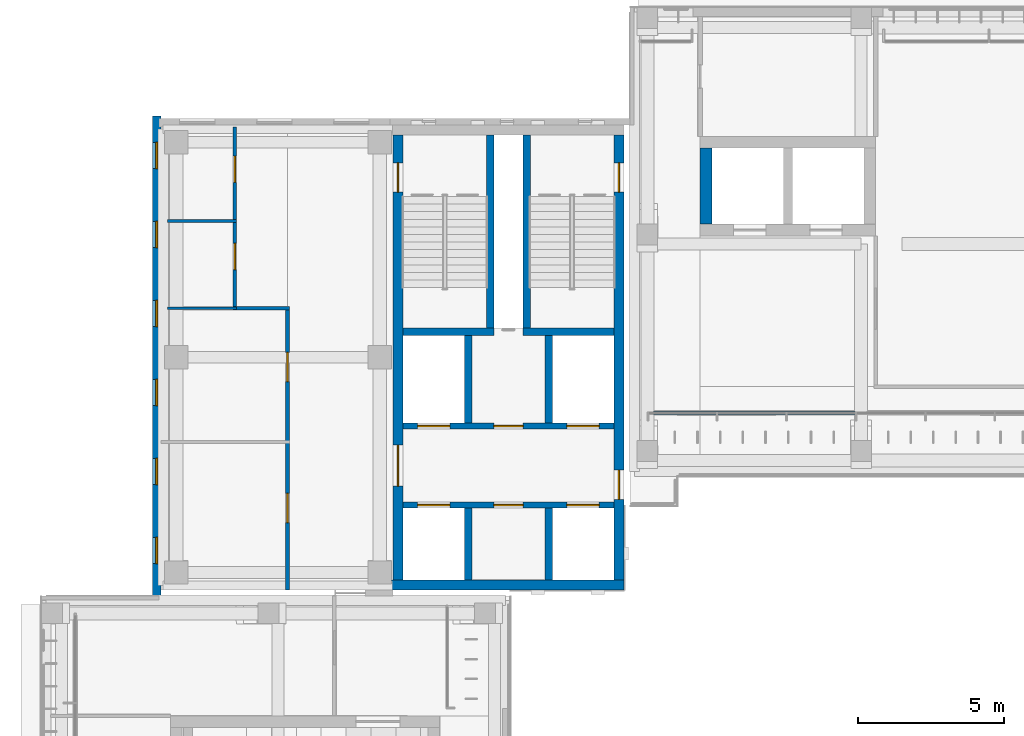
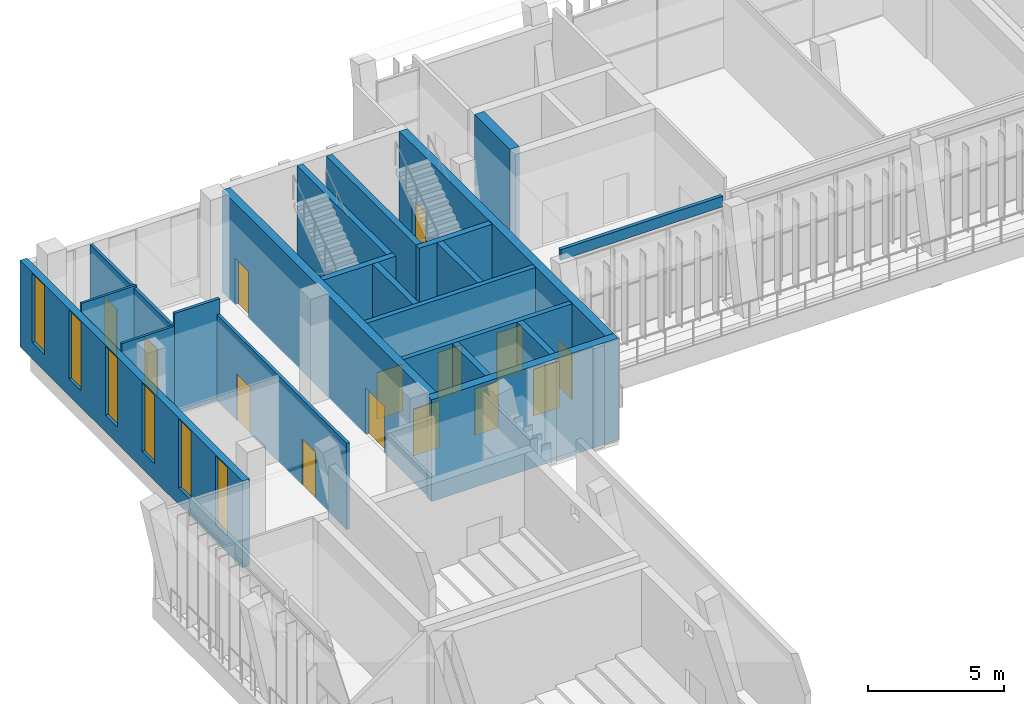
# One storey, part 47 of 74: 21 walls, 14 doors, 6 windows, 20 openings.
"""IFC4 building model written with IfcOpenShell, lengths in metres."""

import ifcopenshell
import ifcopenshell.guid

model = None  # the IFC model being written
_history = None  # IfcOwnerHistory: only IFC2X3 demands one
_inside = {}  # id of a spatial element -> (the spatial element, [elements in it])
_under = {}  # id of a project, library or spatial element -> (it, [spatial elements below it])
_declared = {}  # id of a project -> (the project, [libraries it declares])
_typed = {}  # id of a type object -> (the type object, [elements of that type])
_made_of = {}  # id of a material, layer set ... -> (it, [elements and type objects made of it])


def new_model(schema):
    """Start an empty IFC model of exactly this schema.

    Asked for "IFC4X3", IfcOpenShell would pick the latest addendum, in which some entities
    have other attributes; the version numbers below select the first issue.
    IFC2X3 requires an IfcOwnerHistory on every rooted entity: one is made here for all.
    """
    global model, _history
    if schema == "IFC4X3":
        model = ifcopenshell.file(schema_version=(4, 3, 0, 0))
    else:
        model = ifcopenshell.file(schema=schema)
    _inside.clear()
    _under.clear()
    _declared.clear()
    _typed.clear()
    _made_of.clear()
    _history = None
    if model.schema == "IFC2X3":
        org = make("IfcOrganization", Name="unknown")
        user = make(
            "IfcPersonAndOrganization",
            ThePerson=make("IfcPerson", FamilyName="unknown"),
            TheOrganization=org,
        )
        app = make(
            "IfcApplication",
            ApplicationDeveloper=org,
            Version="unknown",
            ApplicationFullName="unknown",
            ApplicationIdentifier="unknown",
        )
        _history = make(
            "IfcOwnerHistory",
            OwningUser=user,
            OwningApplication=app,
            ChangeAction="ADDED",
            CreationDate=0,
        )
    return model


def make(cls, **values):
    """One entity of the class cls with the attributes given. An attribute that is None is left unset."""
    return model.create_entity(
        cls, **{name: value for name, value in values.items() if value is not None}
    )


def rooted(cls, **values):
    """An entity with a GlobalId (a new one), such as an element, a storey or a relation."""
    return make(cls, GlobalId=ifcopenshell.guid.new(), OwnerHistory=_history, **values)


def si_unit(unit_type, name, prefix=None):
    """IfcSIUnit, for example si_unit("LENGTHUNIT", "METRE", prefix="MILLI")."""
    return make("IfcSIUnit", UnitType=unit_type, Prefix=prefix, Name=name)


def assignment(units):
    """IfcUnitAssignment: the units of a project."""
    return None if units is None else make("IfcUnitAssignment", Units=units)


def point(xyz):
    """IfcCartesianPoint."""
    return None if xyz is None else make("IfcCartesianPoint", Coordinates=xyz)


def direction(xyz):
    """IfcDirection."""
    return None if xyz is None else make("IfcDirection", DirectionRatios=xyz)


def frame(location, z_axis=None, x_axis=None):
    """IfcAxis2Placement3D, a coordinate frame: its origin and axes. An axis left out is left unset."""
    return make(
        "IfcAxis2Placement3D",
        Location=point(location),
        Axis=direction(z_axis),
        RefDirection=direction(x_axis),
    )


def frame_2d(location, x_axis=None):
    """IfcAxis2Placement2D, a coordinate frame in the plane: its origin and x axis."""
    return make(
        "IfcAxis2Placement2D", Location=point(location), RefDirection=direction(x_axis)
    )


def origin():
    """The frame at (0, 0, 0) with its axes left unset."""
    return frame((0.0, 0.0, 0.0))


def place(relative_to, where):
    """IfcLocalPlacement: puts the frame where relative to a parent placement (None: the world)."""
    return make(
        "IfcLocalPlacement", PlacementRelTo=relative_to, RelativePlacement=where
    )


def context(
    kind, dimensions, precision=None, world=None, true_north=None, identifier=None
):
    """IfcGeometricRepresentationContext, for example the 3D "Model" context."""
    return make(
        "IfcGeometricRepresentationContext",
        ContextIdentifier=identifier,
        ContextType=kind,
        CoordinateSpaceDimension=dimensions,
        Precision=precision,
        WorldCoordinateSystem=world,
        TrueNorth=true_north,
    )


def subcontext(parent, identifier, kind, view, scale=None):
    """IfcGeometricRepresentationSubContext, for example "Body" below "Model"."""
    return make(
        "IfcGeometricRepresentationSubContext",
        ContextIdentifier=identifier,
        ContextType=kind,
        ParentContext=parent,
        TargetScale=scale,
        TargetView=view,
    )


def project(units=None, contexts=None):
    """IfcProject with its units and contexts."""
    return rooted(
        "IfcProject",
        Name="project",
        RepresentationContexts=contexts,
        UnitsInContext=assignment(units),
    )


def spatial(cls, under=None, at=None, **own):
    """A site, building, storey or space (cls), placed at a placement, below another one or the project."""
    s = rooted(cls, ObjectPlacement=at, **own)
    if under is not None:
        _under.setdefault(under.id(), (under, []))[1].append(s)
    return s


def profile(cls, at=None, kind="AREA", **sizes):
    """A parametric profile (cls). Its sizes go by their IFC names, for example OverallWidth=200.0."""
    return make(cls, ProfileType=kind, Position=at, **sizes)


def rectangle(**sizes):
    """IfcRectangleProfileDef."""
    return profile("IfcRectangleProfileDef", **sizes)


def extrude(swept, where, along, depth):
    """IfcExtrudedAreaSolid: the profile swept, set in the frame where, extruded along a direction by depth."""
    return make(
        "IfcExtrudedAreaSolid",
        SweptArea=swept,
        Position=where,
        ExtrudedDirection=direction(along),
        Depth=depth,
    )


def shape(context_of_items, identifier, shape_type, items):
    """IfcShapeRepresentation: the items that make up one representation, for example the "Body"."""
    return make(
        "IfcShapeRepresentation",
        ContextOfItems=context_of_items,
        RepresentationIdentifier=identifier,
        RepresentationType=shape_type,
        Items=items,
    )


def material(Name=None, Category=None):
    """IfcMaterial."""
    return make("IfcMaterial", Name=Name, Category=Category)


def layer(
    of_material, thickness, ventilated=None, Name=None, Category=None, Priority=None
):
    """IfcMaterialLayer: one layer of a wall or slab, of a material (None: an air gap)."""
    return make(
        "IfcMaterialLayer",
        Material=of_material,
        LayerThickness=thickness,
        IsVentilated=ventilated,
        Name=Name,
        Category=Category,
        Priority=Priority,
    )


def layer_set(layers, Name=None):
    """IfcMaterialLayerSet."""
    return make("IfcMaterialLayerSet", MaterialLayers=layers, LayerSetName=Name)


def made_of(thing, what):
    """Note that an element or type object is made of a material, layer set ...; save() writes the relation."""
    if what is not None:
        _made_of.setdefault(what.id(), (what, []))[1].append(thing)
    return thing


def type_object(cls, material=None, **own):
    """A type object (cls), such as IfcWallType, which elements share."""
    return made_of(rooted(cls, **own), material)


def element(
    cls,
    number,
    at=None,
    inside=None,
    cuts=None,
    type_object=None,
    material=None,
    context=None,
    identifier="Body",
    shape_type=None,
    held_by="IfcProductDefinitionShape",
    body=None,
    shapes=None,
    **own,
):
    """One element of the class cls, such as IfcWall. Its Tag is "e" and its number.

    at: its placement. inside: the storey or other place that contains it. cuts: it is an
    opening in that element (IfcRelVoidsElement). A single representation is given by context,
    identifier, shape_type and body (its items); several are given by shapes. held_by: the class
    of the entity that holds the representations. save() writes the other relations.
    """
    e = rooted(cls, Tag="e%d" % number, ObjectPlacement=at, **own)
    if body is not None:
        shapes = [shape(context, identifier, shape_type, body)]
    if shapes is not None:
        e.Representation = make(held_by, Representations=shapes)
    if inside is not None:
        _inside.setdefault(inside.id(), (inside, []))[1].append(e)
    if cuts is not None:
        rooted(
            "IfcRelVoidsElement", RelatingBuildingElement=cuts, RelatedOpeningElement=e
        )
    if type_object is not None:
        _typed.setdefault(type_object.id(), (type_object, []))[1].append(e)
    return made_of(e, material)


def fill(opening, filler):
    """IfcRelFillsElement: the door or window that sits in an opening."""
    return rooted(
        "IfcRelFillsElement",
        RelatingOpeningElement=opening,
        RelatedBuildingElement=filler,
    )


def aggregate(whole, parts):
    """IfcRelAggregates: a whole, such as a stair, and the parts it consists of."""
    return rooted("IfcRelAggregates", RelatingObject=whole, RelatedObjects=parts)


def save(model, path):
    """Write the relations noted so far, then the file.

    IfcRelAggregates (storeys below a building ...), IfcRelContainedInSpatialStructure (elements
    in a storey), IfcRelDefinesByType, IfcRelAssociatesMaterial and IfcRelDeclares: one each for
    every whole, place, type object, material and project.
    """
    for whole, parts in _under.values():
        aggregate(whole, parts)
    for where, things in _inside.values():
        rooted(
            "IfcRelContainedInSpatialStructure",
            RelatedElements=things,
            RelatingStructure=where,
        )
    for kind, things in _typed.values():
        rooted("IfcRelDefinesByType", RelatedObjects=things, RelatingType=kind)
    for what, things in _made_of.values():
        rooted("IfcRelAssociatesMaterial", RelatedObjects=things, RelatingMaterial=what)
    for by, libraries in _declared.values():
        rooted("IfcRelDeclares", RelatingContext=by, RelatedDefinitions=libraries)
    model.write(path)


model = new_model("IFC4")

# Units and contexts
model_context = context("Model", 3, precision=1e-05, world=origin(), true_north=direction((0.0, 1.0)))
body_context = subcontext(model_context, "Body", "Model", "MODEL_VIEW")
ifc_project = project(units=[si_unit("LENGTHUNIT", "METRE"), si_unit("AREAUNIT", "SQUARE_METRE"), si_unit("VOLUMEUNIT", "CUBIC_METRE"), si_unit("PLANEANGLEUNIT", "RADIAN"), si_unit("MASSUNIT", "GRAM", prefix="KILO")], contexts=[model_context])

# Site, building, storey
site_placement = place(None, origin())
site = spatial("IfcSite", under=ifc_project, at=site_placement, CompositionType="ELEMENT")
building_placement = place(site_placement, origin())
building = spatial("IfcBuilding", under=site, at=building_placement, Name="Lantern Court Media Centre", CompositionType="ELEMENT")
storey_placement = place(building_placement, frame((0.0, 0.0, 19.199951171875)))
storey = spatial("IfcBuildingStorey", under=building, at=storey_placement, Name="L04", CompositionType="ELEMENT", Elevation=19.199951171875)

# Wall, openings, doors
ifc_material_1 = material(Name="Gypsum board partition")
ifc_layer_1 = layer(ifc_material_1, 0.125)
ifc_layer_set_1 = layer_set([ifc_layer_1], Name="Gypsum board partition")
wall_type_1 = type_object("IfcWallType", Name="Corridor partition 125", PredefinedType="PARTITIONING", material=ifc_layer_set_1)
wall_1_placement = place(storey_placement, frame((12.39990234375, 96.10009765625, 0.0), z_axis=(0.0, 0.0, 1.0), x_axis=(0.0, 1.0, 0.0)))
wall_1 = element("IfcWall", 1, at=wall_1_placement, inside=storey, type_object=wall_type_1, Name="L04 partition 041", PredefinedType="PARTITIONING", context=body_context, shape_type="SweptSolid", body=[
    extrude(rectangle(XDim=9.56689453125, YDim=0.125, at=frame_2d((4.783447265625, 0.0))), origin(), (0.0, 0.0, 1.0), 3.880126953125),
])
opening_1_placement = place(wall_1_placement, frame((7.11767578125, 0.0, 0.0)))
opening_1 = element("IfcOpeningElement", 2, at=opening_1_placement, cuts=wall_1, Name="Opening L04-037", PredefinedType="OPENING", context=body_context, shape_type="SweptSolid", body=[
    extrude(rectangle(XDim=1.0, YDim=2.10009765625, at=frame_2d((0.5, 1.050048828125))), frame((0.0, 0.072509765625, 0.0), z_axis=(0.0, -1.0, 0.0), x_axis=(1.0, 0.0, 0.0)), (0.0, 0.0, 1.0), 0.14501953125),
])
opening_2_placement = place(wall_1_placement, frame((2.302734375, 0.0, 0.0)))
opening_2 = element("IfcOpeningElement", 3, at=opening_2_placement, cuts=wall_1, Name="Opening L04-038", PredefinedType="OPENING", context=body_context, shape_type="SweptSolid", body=[
    extrude(rectangle(XDim=1.0, YDim=2.10009765625, at=frame_2d((0.5, 1.050048828125))), frame((0.0, 0.072509765625, 0.0), z_axis=(0.0, -1.0, 0.0), x_axis=(1.0, 0.0, 0.0)), (0.0, 0.0, 1.0), 0.14501953125),
])
ifc_material_2 = material(Name="Solid-core timber door leaf", Category="wood")
door_type_1 = type_object("IfcDoorType", Name="Single door 1000x2100", OperationType="NOTDEFINED", PredefinedType="DOOR", material=ifc_material_2)
door_1_placement = place(opening_1_placement, origin())
door_1 = element("IfcDoor", 4, at=door_1_placement, inside=storey, type_object=door_type_1, Name="L04 Production Office 11 door", OperationType="SINGLE_SWING_RIGHT", OverallHeight=2.10009765625, OverallWidth=1.0, PredefinedType="DOOR", context=body_context, shape_type="SweptSolid", body=[
    extrude(rectangle(XDim=1.0, YDim=2.10009765625, at=frame_2d((0.5, 1.050048828125))), frame((0.0, 0.02490234375, 0.0), z_axis=(0.0, -1.0, 0.0), x_axis=(1.0, 0.0, 0.0)), (0.0, 0.0, 1.0), 0.050048828125),
])
fill(opening_1, door_1)
door_2_placement = place(opening_2_placement, origin())
door_2 = element("IfcDoor", 5, at=door_2_placement, inside=storey, type_object=door_type_1, Name="L04 Conference Room 03 door", OperationType="SINGLE_SWING_LEFT", OverallHeight=2.10009765625, OverallWidth=1.0, PredefinedType="DOOR", context=body_context, shape_type="SweptSolid", body=[
    extrude(rectangle(XDim=1.0, YDim=2.10009765625, at=frame_2d((0.5, 1.050048828125))), frame((0.0, 0.02490234375, 0.0), z_axis=(0.0, -1.0, 0.0), x_axis=(1.0, 0.0, 0.0)), (0.0, 0.0, 1.0), 0.050048828125),
])
fill(opening_2, door_2)

wall_2_placement = place(storey_placement, frame((10.60009765625, 105.7919921875, 0.0), z_axis=(0.0, 0.0, 1.0), x_axis=(0.0, 1.0, 0.0)))
wall_2 = element("IfcWall", 6, at=wall_2_placement, inside=storey, type_object=wall_type_1, Name="L04 partition 046", PredefinedType="PARTITIONING", context=body_context, shape_type="SweptSolid", body=[
    extrude(rectangle(XDim=6.1279296875, YDim=0.125, at=frame_2d((3.06396484375, 0.0))), origin(), (0.0, 0.0, 1.0), 3.880126953125),
])
opening_3_placement = place(wall_2_placement, frame((4.240234375, 0.0, 0.0)))
opening_3 = element("IfcOpeningElement", 7, at=opening_3_placement, cuts=wall_2, Name="Opening L04-039", PredefinedType="OPENING", context=body_context, shape_type="SweptSolid", body=[
    extrude(rectangle(XDim=0.89990234375, YDim=2.10009765625, at=frame_2d((0.449951171875, 1.050048828125))), frame((0.0, 0.072509765625, 0.0), z_axis=(0.0, -1.0, 0.0), x_axis=(1.0, 0.0, 0.0)), (0.0, 0.0, 1.0), 0.14501953125),
])
opening_4_placement = place(wall_2_placement, frame((1.255126953125, 0.0, 0.0)))
opening_4 = element("IfcOpeningElement", 8, at=opening_4_placement, cuts=wall_2, Name="Opening L04-040", PredefinedType="OPENING", context=body_context, shape_type="SweptSolid", body=[
    extrude(rectangle(XDim=0.89990234375, YDim=2.10009765625, at=frame_2d((0.449951171875, 1.050048828125))), frame((0.0, 0.072509765625, 0.0), z_axis=(0.0, -1.0, 0.0), x_axis=(1.0, 0.0, 0.0)), (0.0, 0.0, 1.0), 0.14501953125),
])
door_type_2 = type_object("IfcDoorType", Name="Single door 900x2100", OperationType="NOTDEFINED", PredefinedType="DOOR", material=ifc_material_2)
door_3_placement = place(opening_3_placement, origin())
door_3 = element("IfcDoor", 9, at=door_3_placement, inside=storey, type_object=door_type_2, Name="L04 WC Male door", OperationType="SINGLE_SWING_RIGHT", OverallHeight=2.10009765625, OverallWidth=0.89990234375, PredefinedType="DOOR", context=body_context, shape_type="SweptSolid", body=[
    extrude(rectangle(XDim=0.89990234375, YDim=2.10009765625, at=frame_2d((0.449951171875, 1.050048828125))), frame((0.0, 0.02490234375, 0.0), z_axis=(0.0, -1.0, 0.0), x_axis=(1.0, 0.0, 0.0)), (0.0, 0.0, 1.0), 0.050048828125),
])
fill(opening_3, door_3)
door_4_placement = place(opening_4_placement, origin())
door_4 = element("IfcDoor", 10, at=door_4_placement, inside=storey, type_object=door_type_2, Name="L04 WC Female door", OperationType="SINGLE_SWING_LEFT", OverallHeight=2.10009765625, OverallWidth=0.89990234375, PredefinedType="DOOR", context=body_context, shape_type="SweptSolid", body=[
    extrude(rectangle(XDim=0.89990234375, YDim=2.10009765625, at=frame_2d((0.449951171875, 1.050048828125))), frame((0.0, 0.02490234375, 0.0), z_axis=(0.0, -1.0, 0.0), x_axis=(1.0, 0.0, 0.0)), (0.0, 0.0, 1.0), 0.050048828125),
])
fill(opening_4, door_4)

# Wall
wall_3_placement = place(storey_placement, frame((10.53759765625, 105.72998046875, 0.0), z_axis=(0.0, 0.0, 1.0), x_axis=(1.0, 0.0, 0.0)))
element("IfcWall", 11, at=wall_3_placement, inside=storey, type_object=wall_type_1, Name="L04 partition 058", PredefinedType="PARTITIONING", context=body_context, shape_type="SweptSolid", body=[
    extrude(rectangle(XDim=1.9248046875, YDim=0.125, at=frame_2d((0.96240234375, 0.0))), origin(), (0.0, 0.0, 1.0), 4.56005859375),
])

# Wall, openings, doors
ifc_material_3 = material(Name="Concrete C40", Category="concrete")
ifc_layer_2 = layer(ifc_material_3, 0.199951171875)
ifc_layer_set_2 = layer_set([ifc_layer_2], Name="Concrete C40")
wall_type_2 = type_object("IfcWallType", Name="Fire lobby wall 200", PredefinedType="SOLIDWALL", material=ifc_layer_set_2)
wall_4_placement = place(storey_placement, frame((16.35009765625, 101.699951171875, 0.0), z_axis=(0.0, 0.0, 1.0), x_axis=(1.0, 0.0, 0.0)))
wall_4 = element("IfcWall", 12, at=wall_4_placement, inside=storey, type_object=wall_type_2, Name="L04 NW FW1", PredefinedType="SOLIDWALL", context=body_context, shape_type="SweptSolid", body=[
    extrude(rectangle(XDim=7.199951171875, YDim=0.199951171875, at=frame_2d((3.60009765625, 0.0))), origin(), (0.0, 0.0, 1.0), 4.550048828125),
])
opening_5_placement = place(wall_4_placement, frame((0.5, 0.0, 0.0)))
opening_5 = element("IfcOpeningElement", 13, at=opening_5_placement, cuts=wall_4, Name="Opening LD-NWFF-L04", PredefinedType="OPENING", context=body_context, shape_type="SweptSolid", body=[
    extrude(rectangle(XDim=1.10009765625, YDim=2.10009765625, at=frame_2d((0.550048828125, 1.050048828125))), frame((0.0, 0.10986328125, 0.0), z_axis=(0.0, -1.0, 0.0), x_axis=(1.0, 0.0, 0.0)), (0.0, 0.0, 1.0), 0.219970703125),
])
opening_6_placement = place(wall_4_placement, frame((5.60009765625, 0.0, 0.0)))
opening_6 = element("IfcOpeningElement", 14, at=opening_6_placement, cuts=wall_4, Name="Opening LD-NWP1-L04", PredefinedType="OPENING", context=body_context, shape_type="SweptSolid", body=[
    extrude(rectangle(XDim=1.10009765625, YDim=2.10009765625, at=frame_2d((0.550048828125, 1.050048828125))), frame((0.0, 0.10986328125, 0.0), z_axis=(0.0, -1.0, 0.0), x_axis=(1.0, 0.0, 0.0)), (0.0, 0.0, 1.0), 0.219970703125),
])
opening_7_placement = place(wall_4_placement, frame((3.10009765625, 0.0, 0.0)))
opening_7 = element("IfcOpeningElement", 15, at=opening_7_placement, cuts=wall_4, Name="Opening NW-L04-03", PredefinedType="OPENING", context=body_context, shape_type="SweptSolid", body=[
    extrude(rectangle(XDim=1.0, YDim=2.10009765625, at=frame_2d((0.5, 1.050048828125))), frame((0.0, 0.10986328125, 0.0), z_axis=(0.0, -1.0, 0.0), x_axis=(1.0, 0.0, 0.0)), (0.0, 0.0, 1.0), 0.219970703125),
])
ifc_material_4 = material(Name="Steel door leaf", Category="steel")
door_type_3 = type_object("IfcDoorType", Name="Lift landing door 1100x2100", OperationType="DOUBLE_DOOR_SLIDING", PredefinedType="DOOR", material=ifc_material_4)
door_5_placement = place(opening_5_placement, frame((1.10009765625, 0.0, 0.0), z_axis=(0.0, 0.0, 1.0), x_axis=(-1.0, 0.0, 0.0)))
door_5 = element("IfcDoor", 16, at=door_5_placement, inside=storey, type_object=door_type_3, Name="L04 NW lift FF landing door", OperationType="DOUBLE_DOOR_SLIDING", OverallHeight=2.10009765625, OverallWidth=1.10009765625, PredefinedType="DOOR", context=body_context, shape_type="SweptSolid", body=[
    extrude(rectangle(XDim=1.10009765625, YDim=2.10009765625, at=frame_2d((0.550048828125, 1.050048828125))), frame((0.0, 0.02490234375, 0.0), z_axis=(0.0, -1.0, 0.0), x_axis=(1.0, 0.0, 0.0)), (0.0, 0.0, 1.0), 0.050048828125),
])
fill(opening_5, door_5)
door_6_placement = place(opening_6_placement, frame((1.10009765625, 0.0, 0.0), z_axis=(0.0, 0.0, 1.0), x_axis=(-1.0, 0.0, 0.0)))
door_6 = element("IfcDoor", 17, at=door_6_placement, inside=storey, type_object=door_type_3, Name="L04 NW lift P1 landing door", OperationType="DOUBLE_DOOR_SLIDING", OverallHeight=2.10009765625, OverallWidth=1.10009765625, PredefinedType="DOOR", context=body_context, shape_type="SweptSolid", body=[
    extrude(rectangle(XDim=1.10009765625, YDim=2.10009765625, at=frame_2d((0.550048828125, 1.050048828125))), frame((0.0, 0.02490234375, 0.0), z_axis=(0.0, -1.0, 0.0), x_axis=(1.0, 0.0, 0.0)), (0.0, 0.0, 1.0), 0.050048828125),
])
fill(opening_6, door_6)
door_type_4 = type_object("IfcDoorType", Name="Service door 1000x2100", OperationType="NOTDEFINED", PredefinedType="DOOR", material=ifc_material_4)
door_7_placement = place(opening_7_placement, frame((1.0, 0.0, 0.0), z_axis=(0.0, 0.0, 1.0), x_axis=(-1.0, 0.0, 0.0)))
door_7 = element("IfcDoor", 18, at=door_7_placement, inside=storey, type_object=door_type_4, Name="L04 NW services riser door", OperationType="SINGLE_SWING_LEFT", OverallHeight=2.10009765625, OverallWidth=1.0, PredefinedType="DOOR", context=body_context, shape_type="SweptSolid", body=[
    extrude(rectangle(XDim=1.0, YDim=2.10009765625, at=frame_2d((0.5, 1.050048828125))), frame((0.0, 0.02490234375, 0.0), z_axis=(0.0, -1.0, 0.0), x_axis=(1.0, 0.0, 0.0)), (0.0, 0.0, 1.0), 0.050048828125),
])
fill(opening_7, door_7)

wall_5_placement = place(storey_placement, frame((16.35009765625, 99.0, 0.0), z_axis=(0.0, 0.0, 1.0), x_axis=(1.0, 0.0, 0.0)))
wall_5 = element("IfcWall", 19, at=wall_5_placement, inside=storey, type_object=wall_type_2, Name="L04 NW FW2", PredefinedType="SOLIDWALL", context=body_context, shape_type="SweptSolid", body=[
    extrude(rectangle(XDim=7.199951171875, YDim=0.199951171875, at=frame_2d((3.60009765625, 0.0))), origin(), (0.0, 0.0, 1.0), 4.550048828125),
])
opening_8_placement = place(wall_5_placement, frame((0.5, 0.0, 0.0)))
opening_8 = element("IfcOpeningElement", 20, at=opening_8_placement, cuts=wall_5, Name="Opening LD-NWP2-L04", PredefinedType="OPENING", context=body_context, shape_type="SweptSolid", body=[
    extrude(rectangle(XDim=1.10009765625, YDim=2.10009765625, at=frame_2d((0.550048828125, 1.050048828125))), frame((0.0, 0.10986328125, 0.0), z_axis=(0.0, -1.0, 0.0), x_axis=(1.0, 0.0, 0.0)), (0.0, 0.0, 1.0), 0.219970703125),
])
opening_9_placement = place(wall_5_placement, frame((5.60009765625, 0.0, 0.0)))
opening_9 = element("IfcOpeningElement", 21, at=opening_9_placement, cuts=wall_5, Name="Opening LD-NWP3-L04", PredefinedType="OPENING", context=body_context, shape_type="SweptSolid", body=[
    extrude(rectangle(XDim=1.10009765625, YDim=2.10009765625, at=frame_2d((0.550048828125, 1.050048828125))), frame((0.0, 0.10986328125, 0.0), z_axis=(0.0, -1.0, 0.0), x_axis=(1.0, 0.0, 0.0)), (0.0, 0.0, 1.0), 0.219970703125),
])
opening_10_placement = place(wall_5_placement, frame((3.10009765625, 0.0, 0.0)))
opening_10 = element("IfcOpeningElement", 22, at=opening_10_placement, cuts=wall_5, Name="Opening NW-L04-04", PredefinedType="OPENING", context=body_context, shape_type="SweptSolid", body=[
    extrude(rectangle(XDim=1.0, YDim=2.10009765625, at=frame_2d((0.5, 1.050048828125))), frame((0.0, 0.10986328125, 0.0), z_axis=(0.0, -1.0, 0.0), x_axis=(1.0, 0.0, 0.0)), (0.0, 0.0, 1.0), 0.219970703125),
])
door_8_placement = place(opening_8_placement, origin())
door_8 = element("IfcDoor", 23, at=door_8_placement, inside=storey, type_object=door_type_3, Name="L04 NW lift P2 landing door", OperationType="DOUBLE_DOOR_SLIDING", OverallHeight=2.10009765625, OverallWidth=1.10009765625, PredefinedType="DOOR", context=body_context, shape_type="SweptSolid", body=[
    extrude(rectangle(XDim=1.10009765625, YDim=2.10009765625, at=frame_2d((0.550048828125, 1.050048828125))), frame((0.0, 0.02490234375, 0.0), z_axis=(0.0, -1.0, 0.0), x_axis=(1.0, 0.0, 0.0)), (0.0, 0.0, 1.0), 0.050048828125),
])
fill(opening_8, door_8)
door_9_placement = place(opening_9_placement, origin())
door_9 = element("IfcDoor", 24, at=door_9_placement, inside=storey, type_object=door_type_3, Name="L04 NW lift P3 landing door", OperationType="DOUBLE_DOOR_SLIDING", OverallHeight=2.10009765625, OverallWidth=1.10009765625, PredefinedType="DOOR", context=body_context, shape_type="SweptSolid", body=[
    extrude(rectangle(XDim=1.10009765625, YDim=2.10009765625, at=frame_2d((0.550048828125, 1.050048828125))), frame((0.0, 0.02490234375, 0.0), z_axis=(0.0, -1.0, 0.0), x_axis=(1.0, 0.0, 0.0)), (0.0, 0.0, 1.0), 0.050048828125),
])
fill(opening_9, door_9)
door_10_placement = place(opening_10_placement, origin())
door_10 = element("IfcDoor", 25, at=door_10_placement, inside=storey, type_object=door_type_4, Name="L04 NW accessible WC door", OperationType="SINGLE_SWING_RIGHT", OverallHeight=2.10009765625, OverallWidth=1.0, PredefinedType="DOOR", context=body_context, shape_type="SweptSolid", body=[
    extrude(rectangle(XDim=1.0, YDim=2.10009765625, at=frame_2d((0.5, 1.050048828125))), frame((0.0, 0.02490234375, 0.0), z_axis=(0.0, -1.0, 0.0), x_axis=(1.0, 0.0, 0.0)), (0.0, 0.0, 1.0), 0.050048828125),
])
fill(opening_10, door_10)

# Wall
ifc_material_5 = material(Name="Insulated rendered blockwork", Category="masonry")
ifc_layer_3 = layer(ifc_material_5, 0.14990234375)
ifc_layer_set_3 = layer_set([ifc_layer_3], Name="Insulated rendered blockwork")
wall_type_3 = type_object("IfcWallType", Name="Head infill wall 150", PredefinedType="SOLIDWALL", material=ifc_layer_set_3)
wall_6_placement = place(storey_placement, frame((24.89990234375, 102.14990234375, 4.10009765625), z_axis=(0.0, 0.0, 1.0), x_axis=(1.0, 0.0, 0.0)))
element("IfcWall", 26, at=wall_6_placement, inside=storey, type_object=wall_type_3, Name="Head infill wall N inner L04", PredefinedType="SOLIDWALL", context=body_context, shape_type="SweptSolid", body=[
    extrude(rectangle(XDim=6.900146484375, YDim=0.14990234375, at=frame_2d((3.4501953125, 0.0))), origin(), (0.0, 0.0, 1.0), 0.47998046875),
])

# Wall, openings, windows
ifc_material_6 = material(Name="Honed limestone cladding on blockwork", Category="masonry")
ifc_layer_4 = layer(ifc_material_6, 0.300048828125)
ifc_layer_set_4 = layer_set([ifc_layer_4], Name="Honed limestone cladding on blockwork")
wall_type_4 = type_object("IfcWallType", Name="Limestone block wall 300", PredefinedType="SOLIDWALL", material=ifc_layer_set_4)
wall_7_placement = place(storey_placement, frame((7.929931640625, 95.89990234375, 0.0), z_axis=(0.0, 0.0, 1.0), x_axis=(0.0, 1.0, 0.0)))
wall_7 = element("IfcWall", 27, at=wall_7_placement, inside=storey, type_object=wall_type_4, Name="Limestone wall NW W L04", PredefinedType="SOLIDWALL", context=body_context, shape_type="SweptSolid", body=[
    extrude(rectangle(XDim=16.400146484375, YDim=0.300048828125, at=frame_2d((8.2001953125, 0.0))), origin(), (0.0, 0.0, 1.0), 3.900146484375),
])
opening_11_placement = place(wall_7_placement, frame((1.10009765625, 0.0, 0.75)))
opening_11 = element("IfcOpeningElement", 28, at=opening_11_placement, cuts=wall_7, Name="Opening WN-N", PredefinedType="OPENING", context=body_context, shape_type="SweptSolid", body=[
    extrude(rectangle(XDim=0.89990234375, YDim=3.10009765625, at=frame_2d((0.449951171875, 1.550048828125))), frame((0.0, 0.159912109375, 0.0), z_axis=(0.0, -1.0, 0.0), x_axis=(1.0, 0.0, 0.0)), (0.0, 0.0, 1.0), 0.320068359375),
])
opening_12_placement = place(wall_7_placement, frame((3.800048828125, 0.0, 0.75)))
opening_12 = element("IfcOpeningElement", 29, at=opening_12_placement, cuts=wall_7, Name="Opening WN-N", PredefinedType="OPENING", context=body_context, shape_type="SweptSolid", body=[
    extrude(rectangle(XDim=0.89990234375, YDim=3.10009765625, at=frame_2d((0.449951171875, 1.550048828125))), frame((0.0, 0.159912109375, 0.0), z_axis=(0.0, -1.0, 0.0), x_axis=(1.0, 0.0, 0.0)), (0.0, 0.0, 1.0), 0.320068359375),
])
opening_13_placement = place(wall_7_placement, frame((6.5, 0.0, 0.75)))
opening_13 = element("IfcOpeningElement", 30, at=opening_13_placement, cuts=wall_7, Name="Opening WN-N", PredefinedType="OPENING", context=body_context, shape_type="SweptSolid", body=[
    extrude(rectangle(XDim=0.89990234375, YDim=3.10009765625, at=frame_2d((0.449951171875, 1.550048828125))), frame((0.0, 0.159912109375, 0.0), z_axis=(0.0, -1.0, 0.0), x_axis=(1.0, 0.0, 0.0)), (0.0, 0.0, 1.0), 0.320068359375),
])
opening_14_placement = place(wall_7_placement, frame((9.199951171875, 0.0, 0.75)))
opening_14 = element("IfcOpeningElement", 31, at=opening_14_placement, cuts=wall_7, Name="Opening WN-N", PredefinedType="OPENING", context=body_context, shape_type="SweptSolid", body=[
    extrude(rectangle(XDim=0.89990234375, YDim=3.10009765625, at=frame_2d((0.449951171875, 1.550048828125))), frame((0.0, 0.159912109375, 0.0), z_axis=(0.0, -1.0, 0.0), x_axis=(1.0, 0.0, 0.0)), (0.0, 0.0, 1.0), 0.320068359375),
])
opening_15_placement = place(wall_7_placement, frame((11.89990234375, 0.0, 0.75)))
opening_15 = element("IfcOpeningElement", 32, at=opening_15_placement, cuts=wall_7, Name="Opening WN-N", PredefinedType="OPENING", context=body_context, shape_type="SweptSolid", body=[
    extrude(rectangle(XDim=0.89990234375, YDim=3.10009765625, at=frame_2d((0.449951171875, 1.550048828125))), frame((0.0, 0.159912109375, 0.0), z_axis=(0.0, -1.0, 0.0), x_axis=(1.0, 0.0, 0.0)), (0.0, 0.0, 1.0), 0.320068359375),
])
opening_16_placement = place(wall_7_placement, frame((14.60009765625, 0.0, 0.75)))
opening_16 = element("IfcOpeningElement", 33, at=opening_16_placement, cuts=wall_7, Name="Opening WN-N", PredefinedType="OPENING", context=body_context, shape_type="SweptSolid", body=[
    extrude(rectangle(XDim=0.89990234375, YDim=3.10009765625, at=frame_2d((0.449951171875, 1.550048828125))), frame((0.0, 0.159912109375, 0.0), z_axis=(0.0, -1.0, 0.0), x_axis=(1.0, 0.0, 0.0)), (0.0, 0.0, 1.0), 0.320068359375),
])
ifc_material_7 = material(Name="Anodised aluminium and glass", Category="aluminium")
window_type = type_object("IfcWindowType", Name="Pier window 900x3100", PartitioningType="SINGLE_PANEL", PredefinedType="WINDOW", material=ifc_material_7)
window_1_placement = place(opening_11_placement, origin())
window_1 = element("IfcWindow", 34, at=window_1_placement, inside=storey, type_object=window_type, Name="Window NW W L04", OverallHeight=3.10009765625, OverallWidth=0.89990234375, PartitioningType="SINGLE_PANEL", PredefinedType="WINDOW", context=body_context, shape_type="SweptSolid", body=[
    extrude(rectangle(XDim=0.89990234375, YDim=3.10009765625, at=frame_2d((0.449951171875, 1.550048828125))), frame((0.0, 0.030029296875, 0.0), z_axis=(0.0, -1.0, 0.0), x_axis=(1.0, 0.0, 0.0)), (0.0, 0.0, 1.0), 0.06005859375),
])
fill(opening_11, window_1)
window_2_placement = place(opening_12_placement, origin())
window_2 = element("IfcWindow", 35, at=window_2_placement, inside=storey, type_object=window_type, Name="Window NW W L04", OverallHeight=3.10009765625, OverallWidth=0.89990234375, PartitioningType="SINGLE_PANEL", PredefinedType="WINDOW", context=body_context, shape_type="SweptSolid", body=[
    extrude(rectangle(XDim=0.89990234375, YDim=3.10009765625, at=frame_2d((0.449951171875, 1.550048828125))), frame((0.0, 0.030029296875, 0.0), z_axis=(0.0, -1.0, 0.0), x_axis=(1.0, 0.0, 0.0)), (0.0, 0.0, 1.0), 0.06005859375),
])
fill(opening_12, window_2)
window_3_placement = place(opening_13_placement, origin())
window_3 = element("IfcWindow", 36, at=window_3_placement, inside=storey, type_object=window_type, Name="Window NW W L04", OverallHeight=3.10009765625, OverallWidth=0.89990234375, PartitioningType="SINGLE_PANEL", PredefinedType="WINDOW", context=body_context, shape_type="SweptSolid", body=[
    extrude(rectangle(XDim=0.89990234375, YDim=3.10009765625, at=frame_2d((0.449951171875, 1.550048828125))), frame((0.0, 0.030029296875, 0.0), z_axis=(0.0, -1.0, 0.0), x_axis=(1.0, 0.0, 0.0)), (0.0, 0.0, 1.0), 0.06005859375),
])
fill(opening_13, window_3)
window_4_placement = place(opening_14_placement, origin())
window_4 = element("IfcWindow", 37, at=window_4_placement, inside=storey, type_object=window_type, Name="Window NW W L04", OverallHeight=3.10009765625, OverallWidth=0.89990234375, PartitioningType="SINGLE_PANEL", PredefinedType="WINDOW", context=body_context, shape_type="SweptSolid", body=[
    extrude(rectangle(XDim=0.89990234375, YDim=3.10009765625, at=frame_2d((0.449951171875, 1.550048828125))), frame((0.0, 0.030029296875, 0.0), z_axis=(0.0, -1.0, 0.0), x_axis=(1.0, 0.0, 0.0)), (0.0, 0.0, 1.0), 0.06005859375),
])
fill(opening_14, window_4)
window_5_placement = place(opening_15_placement, origin())
window_5 = element("IfcWindow", 38, at=window_5_placement, inside=storey, type_object=window_type, Name="Window NW W L04", OverallHeight=3.10009765625, OverallWidth=0.89990234375, PartitioningType="SINGLE_PANEL", PredefinedType="WINDOW", context=body_context, shape_type="SweptSolid", body=[
    extrude(rectangle(XDim=0.89990234375, YDim=3.10009765625, at=frame_2d((0.449951171875, 1.550048828125))), frame((0.0, 0.030029296875, 0.0), z_axis=(0.0, -1.0, 0.0), x_axis=(1.0, 0.0, 0.0)), (0.0, 0.0, 1.0), 0.06005859375),
])
fill(opening_15, window_5)
window_6_placement = place(opening_16_placement, origin())
window_6 = element("IfcWindow", 39, at=window_6_placement, inside=storey, type_object=window_type, Name="Window NW W L04", OverallHeight=3.10009765625, OverallWidth=0.89990234375, PartitioningType="SINGLE_PANEL", PredefinedType="WINDOW", context=body_context, shape_type="SweptSolid", body=[
    extrude(rectangle(XDim=0.89990234375, YDim=3.10009765625, at=frame_2d((0.449951171875, 1.550048828125))), frame((0.0, 0.030029296875, 0.0), z_axis=(0.0, -1.0, 0.0), x_axis=(1.0, 0.0, 0.0)), (0.0, 0.0, 1.0), 0.06005859375),
])
fill(opening_16, window_6)

# Walls
ifc_layer_5 = layer(ifc_material_1, 0.10009765625)
ifc_layer_set_5 = layer_set([ifc_layer_5], Name="Gypsum board partition")
wall_type_5 = type_object("IfcWallType", Name="Partition 100", PredefinedType="PARTITIONING", material=ifc_layer_set_5)
for number, where, z_axis, x_axis, name in (
    (40, (8.300048828125, 105.72998046875, 0.0), (0.0, 0.0, 1.0), (1.0, 0.0, 0.0), "L04 partition 057"),
    (41, (8.300048828125, 108.715087890625, 0.0), (0.0, 0.0, 1.0), (1.0, 0.0, 0.0), "L04 partition 059"),
):
    element("IfcWall", number, at=place(storey_placement, frame(where, z_axis=z_axis, x_axis=x_axis)), inside=storey, type_object=wall_type_5, Name=name, PredefinedType="PARTITIONING", context=body_context, shape_type="SweptSolid", body=[
        extrude(rectangle(XDim=2.362548828125, YDim=0.10009765625, at=frame_2d((1.18115234375, 0.0))), origin(), (0.0, 0.0, 1.0), 3.97998046875),
    ])
ifc_layer_6 = layer(ifc_material_3, 0.35009765625)
ifc_layer_set_6 = layer_set([ifc_layer_6], Name="Concrete C40")
wall_type_6 = type_object("IfcWallType", Name="RC CORE WALL 350", PredefinedType="SHEAR", material=ifc_layer_set_6)
wall_8_placement = place(storey_placement, frame((15.949951171875, 96.27490234375, 0.0), z_axis=(0.0, 0.0, 1.0), x_axis=(1.0, 0.0, 0.0)))
element("IfcWall", 42, at=wall_8_placement, inside=storey, type_object=wall_type_6, Name="WC-NW-L04-S", PredefinedType="SHEAR", context=body_context, shape_type="SweptSolid", body=[
    extrude(rectangle(XDim=7.949951171875, YDim=0.35009765625, at=frame_2d((3.97509765625, 0.0))), origin(), (0.0, 0.0, 1.0), 4.580078125),
])

# Wall, openings, doors
wall_9_placement = place(storey_placement, frame((16.175048828125, 96.449951171875, 0.0), z_axis=(0.0, 0.0, 1.0), x_axis=(0.0, 1.0, 0.0)))
wall_9 = element("IfcWall", 43, at=wall_9_placement, inside=storey, type_object=wall_type_6, Name="WC-NW-L04-W", PredefinedType="SHEAR", context=body_context, shape_type="SweptSolid", body=[
    extrude(rectangle(XDim=15.199951171875, YDim=0.35009765625, at=frame_2d((7.60009765625, 0.0))), origin(), (0.0, 0.0, 1.0), 4.580078125),
])
opening_17_placement = place(wall_9_placement, frame((13.25, 0.0, 0.0)))
opening_17 = element("IfcOpeningElement", 44, at=opening_17_placement, cuts=wall_9, Name="Opening NW-L04-01", PredefinedType="OPENING", context=body_context, shape_type="SweptSolid", body=[
    extrude(rectangle(XDim=1.0, YDim=2.10009765625, at=frame_2d((0.5, 1.050048828125))), frame((0.0, 0.18505859375, 0.0), z_axis=(0.0, -1.0, 0.0), x_axis=(1.0, 0.0, 0.0)), (0.0, 0.0, 1.0), 0.3701171875),
])
opening_18_placement = place(wall_9_placement, frame((3.199951171875, 0.0, 0.0)))
opening_18 = element("IfcOpeningElement", 45, at=opening_18_placement, cuts=wall_9, Name="Opening NW-L04-05", PredefinedType="OPENING", context=body_context, shape_type="SweptSolid", body=[
    extrude(rectangle(XDim=1.39990234375, YDim=2.10009765625, at=frame_2d((0.699951171875, 1.050048828125))), frame((0.0, 0.18505859375, 0.0), z_axis=(0.0, -1.0, 0.0), x_axis=(1.0, 0.0, 0.0)), (0.0, 0.0, 1.0), 0.3701171875),
])
door_type_5 = type_object("IfcDoorType", Name="Lift lobby double door 1400x2100", OperationType="NOTDEFINED", PredefinedType="DOOR", material=ifc_material_4)
door_11_placement = place(opening_18_placement, origin())
door_11 = element("IfcDoor", 46, at=door_11_placement, inside=storey, type_object=door_type_5, Name="L04 NW lift lobby west door", OperationType="SINGLE_SWING_LEFT", OverallHeight=2.10009765625, OverallWidth=1.39990234375, PredefinedType="DOOR", context=body_context, shape_type="SweptSolid", body=[
    extrude(rectangle(XDim=1.39990234375, YDim=2.10009765625, at=frame_2d((0.699951171875, 1.050048828125))), frame((0.0, 0.02490234375, 0.0), z_axis=(0.0, -1.0, 0.0), x_axis=(1.0, 0.0, 0.0)), (0.0, 0.0, 1.0), 0.050048828125),
])
fill(opening_18, door_11)
door_type_6 = type_object("IfcDoorType", Name="Stair door 1000x2100", OperationType="NOTDEFINED", PredefinedType="DOOR", material=ifc_material_4)
door_12_placement = place(opening_17_placement, origin())
door_12 = element("IfcDoor", 47, at=door_12_placement, inside=storey, type_object=door_type_6, Name="L04 NW stair A door", OperationType="SINGLE_SWING_LEFT", OverallHeight=2.10009765625, OverallWidth=1.0, PredefinedType="DOOR", context=body_context, shape_type="SweptSolid", body=[
    extrude(rectangle(XDim=1.0, YDim=2.10009765625, at=frame_2d((0.5, 1.050048828125))), frame((0.0, 0.02490234375, 0.0), z_axis=(0.0, -1.0, 0.0), x_axis=(1.0, 0.0, 0.0)), (0.0, 0.0, 1.0), 0.050048828125),
])
fill(opening_17, door_12)

wall_10_placement = place(storey_placement, frame((23.72509765625, 96.449951171875, 0.0), z_axis=(0.0, 0.0, 1.0), x_axis=(0.0, 1.0, 0.0)))
wall_10 = element("IfcWall", 48, at=wall_10_placement, inside=storey, type_object=wall_type_6, Name="WC-NW-L04-E", PredefinedType="SHEAR", context=body_context, shape_type="SweptSolid", body=[
    extrude(rectangle(XDim=15.199951171875, YDim=0.35009765625, at=frame_2d((7.60009765625, 0.0))), origin(), (0.0, 0.0, 1.0), 4.580078125),
])
opening_19_placement = place(wall_10_placement, frame((13.25, 0.0, 0.0)))
opening_19 = element("IfcOpeningElement", 49, at=opening_19_placement, cuts=wall_10, Name="Opening NW-L04-02", PredefinedType="OPENING", context=body_context, shape_type="SweptSolid", body=[
    extrude(rectangle(XDim=1.0, YDim=2.10009765625, at=frame_2d((0.5, 1.050048828125))), frame((0.0, 0.18505859375, 0.0), z_axis=(0.0, -1.0, 0.0), x_axis=(1.0, 0.0, 0.0)), (0.0, 0.0, 1.0), 0.3701171875),
])
opening_20_placement = place(wall_10_placement, frame((2.75, 0.0, 0.0)))
opening_20 = element("IfcOpeningElement", 50, at=opening_20_placement, cuts=wall_10, Name="Opening NW-L04-06", PredefinedType="OPENING", context=body_context, shape_type="SweptSolid", body=[
    extrude(rectangle(XDim=1.0, YDim=2.10009765625, at=frame_2d((0.5, 1.050048828125))), frame((0.0, 0.18505859375, 0.0), z_axis=(0.0, -1.0, 0.0), x_axis=(1.0, 0.0, 0.0)), (0.0, 0.0, 1.0), 0.3701171875),
])
door_type_7 = type_object("IfcDoorType", Name="Lift lobby single door 1000x2100", OperationType="NOTDEFINED", PredefinedType="DOOR", material=ifc_material_4)
door_13_placement = place(opening_20_placement, frame((1.0, 0.0, 0.0), z_axis=(0.0, 0.0, 1.0), x_axis=(-1.0, 0.0, 0.0)))
door_13 = element("IfcDoor", 51, at=door_13_placement, inside=storey, type_object=door_type_7, Name="L04 NW lift lobby east door", OperationType="SINGLE_SWING_LEFT", OverallHeight=2.10009765625, OverallWidth=1.0, PredefinedType="DOOR", context=body_context, shape_type="SweptSolid", body=[
    extrude(rectangle(XDim=1.0, YDim=2.10009765625, at=frame_2d((0.5, 1.050048828125))), frame((0.0, 0.02490234375, 0.0), z_axis=(0.0, -1.0, 0.0), x_axis=(1.0, 0.0, 0.0)), (0.0, 0.0, 1.0), 0.050048828125),
])
fill(opening_20, door_13)
door_14_placement = place(opening_19_placement, frame((1.0, 0.0, 0.0), z_axis=(0.0, 0.0, 1.0), x_axis=(-1.0, 0.0, 0.0)))
door_14 = element("IfcDoor", 52, at=door_14_placement, inside=storey, type_object=door_type_6, Name="L04 NW stair B door", OperationType="SINGLE_SWING_LEFT", OverallHeight=2.10009765625, OverallWidth=1.0, PredefinedType="DOOR", context=body_context, shape_type="SweptSolid", body=[
    extrude(rectangle(XDim=1.0, YDim=2.10009765625, at=frame_2d((0.5, 1.050048828125))), frame((0.0, 0.02490234375, 0.0), z_axis=(0.0, -1.0, 0.0), x_axis=(1.0, 0.0, 0.0)), (0.0, 0.0, 1.0), 0.050048828125),
])
fill(opening_19, door_14)

# Walls
ifc_layer_7 = layer(ifc_material_3, 0.39990234375)
ifc_layer_set_7 = layer_set([ifc_layer_7], Name="Concrete C40")
wall_type_7 = type_object("IfcWallType", Name="RC SHEAR WALL 400", PredefinedType="SHEAR", material=ifc_layer_set_7)
wall_11_placement = place(storey_placement, frame((26.699951171875, 108.60009765625, 0.0), z_axis=(0.0, 0.0, 1.0), x_axis=(0.0, 1.0, 0.0)))
element("IfcWall", 53, at=wall_11_placement, inside=storey, type_object=wall_type_7, Name="WB-N-LC-L04-W", PredefinedType="SHEAR", context=body_context, shape_type="SweptSolid", body=[
    extrude(rectangle(XDim=2.599853515625, YDim=0.39990234375, at=frame_2d((1.2998046875, 0.0))), origin(), (0.0, 0.0, 1.0), 4.580078125),
])
ifc_layer_8 = layer(ifc_material_3, 0.25)
ifc_layer_set_8 = layer_set([ifc_layer_8], Name="Concrete C40")
wall_type_8 = type_object("IfcWallType", Name="RC lift shaft wall 250", PredefinedType="SOLIDWALL", material=ifc_layer_set_8)
wall_12_placement = place(storey_placement, frame((18.574951171875, 104.800048828125, 0.0), z_axis=(0.0, 0.0, 1.0), x_axis=(0.0, -1.0, 0.0)))
element("IfcWall", 54, at=wall_12_placement, inside=storey, type_object=wall_type_8, Name="L04 NW L1a", PredefinedType="SOLIDWALL", context=body_context, shape_type="SweptSolid", body=[
    extrude(rectangle(XDim=3.0, YDim=0.25, at=frame_2d((1.5, 0.0))), origin(), (0.0, 0.0, 1.0), 4.550048828125),
])
wall_13_placement = place(storey_placement, frame((18.574951171875, 98.89990234375, 0.0), z_axis=(0.0, 0.0, 1.0), x_axis=(0.0, -1.0, 0.0)))
element("IfcWall", 55, at=wall_13_placement, inside=storey, type_object=wall_type_8, Name="L04 NW L1b", PredefinedType="SOLIDWALL", context=body_context, shape_type="SweptSolid", body=[
    extrude(rectangle(XDim=2.449951171875, YDim=0.25, at=frame_2d((1.22509765625, 0.0))), origin(), (0.0, 0.0, 1.0), 4.550048828125),
])
wall_14_placement = place(storey_placement, frame((21.324951171875, 104.800048828125, 0.0), z_axis=(0.0, 0.0, 1.0), x_axis=(0.0, -1.0, 0.0)))
element("IfcWall", 56, at=wall_14_placement, inside=storey, type_object=wall_type_8, Name="L04 NW L2a", PredefinedType="SOLIDWALL", context=body_context, shape_type="SweptSolid", body=[
    extrude(rectangle(XDim=3.0, YDim=0.25, at=frame_2d((1.5, 0.0))), origin(), (0.0, 0.0, 1.0), 4.550048828125),
])
wall_15_placement = place(storey_placement, frame((21.324951171875, 98.89990234375, 0.0), z_axis=(0.0, 0.0, 1.0), x_axis=(0.0, -1.0, 0.0)))
element("IfcWall", 57, at=wall_15_placement, inside=storey, type_object=wall_type_8, Name="L04 NW L2b", PredefinedType="SOLIDWALL", context=body_context, shape_type="SweptSolid", body=[
    extrude(rectangle(XDim=2.449951171875, YDim=0.25, at=frame_2d((1.22509765625, 0.0))), origin(), (0.0, 0.0, 1.0), 4.550048828125),
])
ifc_layer_9 = layer(ifc_material_3, 0.25)
ifc_layer_set_9 = layer_set([ifc_layer_9], Name="Concrete C40")
wall_type_9 = type_object("IfcWallType", Name="RC stair shaft wall 250", PredefinedType="SOLIDWALL", material=ifc_layer_set_9)
for number, where, z_axis, x_axis, name in (
    (58, (19.324951171875, 111.64990234375, 0.0), (0.0, 0.0, 1.0), (0.0, -1.0, 0.0), "L04 NW SA"),
    (59, (20.574951171875, 111.64990234375, 0.0), (0.0, 0.0, 1.0), (0.0, -1.0, 0.0), "L04 NW SB"),
):
    element("IfcWall", number, at=place(storey_placement, frame(where, z_axis=z_axis, x_axis=x_axis)), inside=storey, type_object=wall_type_9, Name=name, PredefinedType="SOLIDWALL", context=body_context, shape_type="SweptSolid", body=[
        extrude(rectangle(XDim=6.599853515625, YDim=0.25, at=frame_2d((3.2998046875, 0.0))), origin(), (0.0, 0.0, 1.0), 4.550048828125),
    ])
wall_16_placement = place(storey_placement, frame((16.35009765625, 104.925048828125, 0.0), z_axis=(0.0, 0.0, 1.0), x_axis=(1.0, 0.0, 0.0)))
element("IfcWall", 60, at=wall_16_placement, inside=storey, type_object=wall_type_9, Name="L04 NW SN1", PredefinedType="SOLIDWALL", context=body_context, shape_type="SweptSolid", body=[
    extrude(rectangle(XDim=3.099853515625, YDim=0.25, at=frame_2d((1.5498046875, 0.0))), origin(), (0.0, 0.0, 1.0), 4.550048828125),
])
wall_17_placement = place(storey_placement, frame((20.449951171875, 104.925048828125, 0.0), z_axis=(0.0, 0.0, 1.0), x_axis=(1.0, 0.0, 0.0)))
element("IfcWall", 61, at=wall_17_placement, inside=storey, type_object=wall_type_9, Name="L04 NW SN2", PredefinedType="SOLIDWALL", context=body_context, shape_type="SweptSolid", body=[
    extrude(rectangle(XDim=3.10009765625, YDim=0.25, at=frame_2d((1.550048828125, 0.0))), origin(), (0.0, 0.0, 1.0), 4.550048828125),
])

save(model, "model.ifc")
